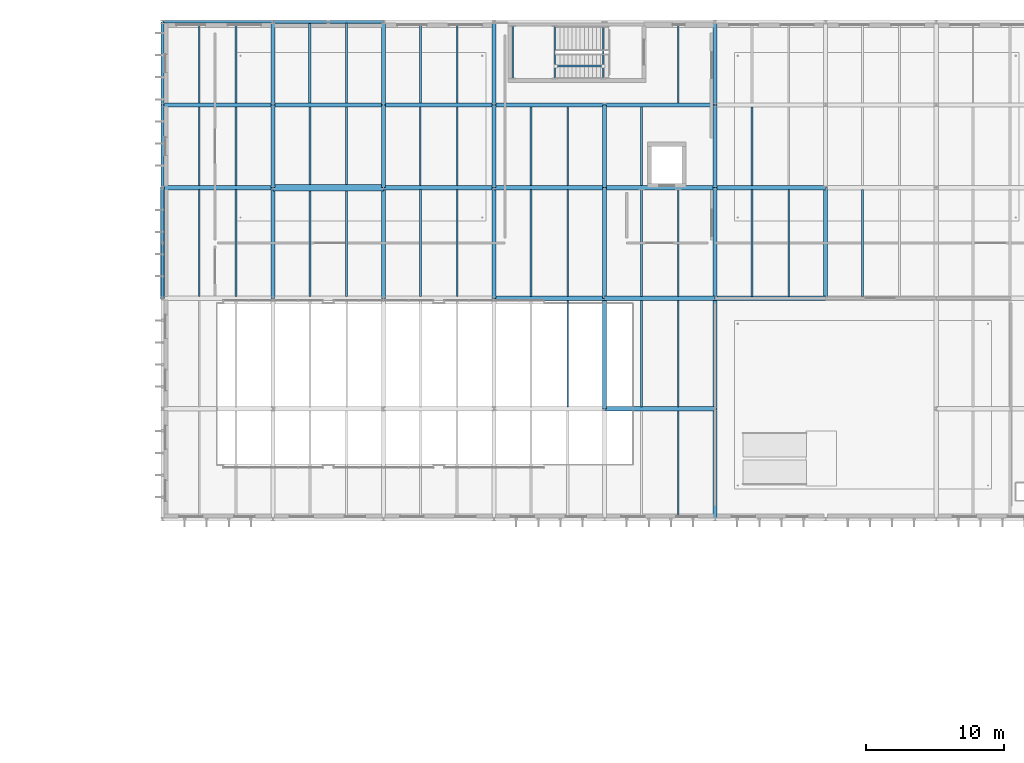
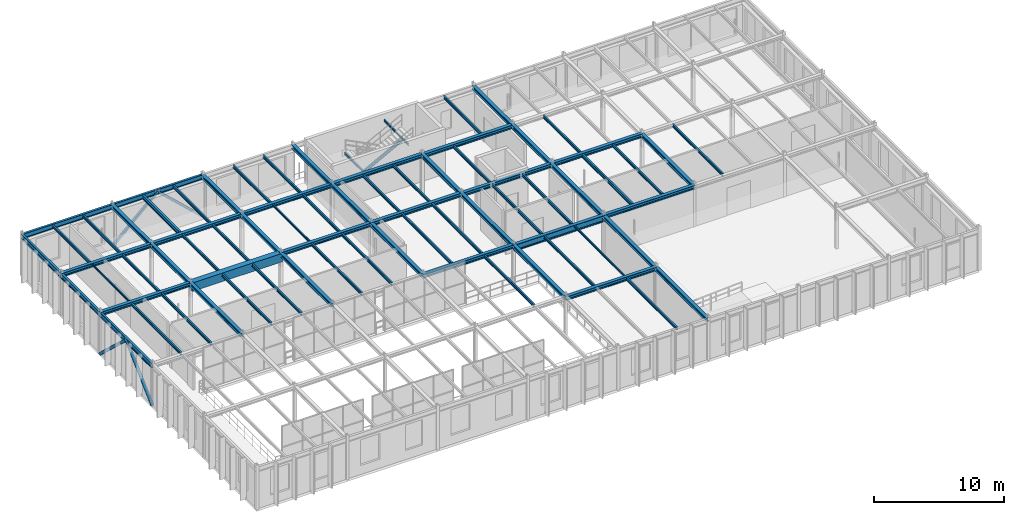
# One storey, part 62 of 124: 75 beams, 5 members.
"""IFC4 building model written with IfcOpenShell, lengths in metres."""

from ifc_helpers import new_model, si_unit, direction, frame, origin, origin_2d, place, context, subcontext, project, spatial, rectangle, hollow_rectangle, hollow_circle, i_section, extrude, material, material_profile, profile_set, type_object, element, save


model = new_model("IFC4")

# Units and contexts
model_context = context("Model", 3, precision=1e-05, world=origin(), true_north=direction((0.0, 1.0)))
body_context = subcontext(model_context, "Body", "Model", "MODEL_VIEW")
ifc_project = project(units=[si_unit("LENGTHUNIT", "METRE"), si_unit("AREAUNIT", "SQUARE_METRE"), si_unit("VOLUMEUNIT", "CUBIC_METRE"), si_unit("PLANEANGLEUNIT", "RADIAN"), si_unit("MASSUNIT", "GRAM", prefix="KILO")], contexts=[model_context])

# Site, building, storey
site_placement = place(None, origin())
site = spatial("IfcSite", under=ifc_project, at=site_placement, CompositionType="ELEMENT")
building_placement = place(site_placement, origin())
building = spatial("IfcBuilding", under=site, at=building_placement, Name="Sundkrona Museum", CompositionType="ELEMENT")
storey_placement = place(building_placement, frame((0.0, 0.0, 17.60009765625)))
storey = spatial("IfcBuildingStorey", under=building, at=storey_placement, Name="L03", CompositionType="ELEMENT", Elevation=17.60009765625)

# Beams
ifc_material_1 = material(Name="Steel S355J2", Category="steel")
ifc_material_profile_1 = material_profile(ifc_material_1, i_section(OverallWidth=0.300048828125, OverallDepth=0.35009765625, WebThickness=0.010009765625, FlangeThickness=0.017578125, FilletRadius=0.027099609375, at=origin_2d()), Name="HEA 360")
ifc_profile_set_1 = profile_set([ifc_material_profile_1], Name="Steel S355J2")
beam_type_1 = type_object("IfcBeamType", Name="B-HEA360", PredefinedType="BEAM", material=ifc_profile_set_1)
for number, where, z_axis, x_axis, name in (
    (1, (48.0, 86.0, 3.724853515625), (1.0, 0.0, 0.0), (0.0, 1.0, 0.0), "L03 Girder X-1502"),
    (2, (40.0, 94.0, 3.784912109375), (1.0, 0.0, 0.0), (0.0, 1.0, 0.0), "L03 Girder X-1511"),
    (3, (56.0, 94.0, 3.724853515625), (1.0, 0.0, 0.0), (0.0, 1.0, 0.0), "L03 Girder X-1513"),
    (4, (16.0, 102.0, 3.784912109375), (1.0, 0.0, 0.0), (0.0, 1.0, 0.0), "L03 Girder X-1520"),
    (5, (32.0, 102.0, 3.784912109375), (1.0, 0.0, 0.0), (0.0, 1.0, 0.0), "L03 Girder X-1522"),
    (6, (40.0, 102.0, 3.784912109375), (1.0, 0.0, 0.0), (0.0, 1.0, 0.0), "L03 Girder X-1523"),
    (7, (48.0, 102.0, 3.724853515625), (1.0, 0.0, 0.0), (0.0, 1.0, 0.0), "L03 Girder X-1524"),
    (8, (56.0, 102.0, 3.724853515625), (1.0, 0.0, 0.0), (0.0, 1.0, 0.0), "L03 Girder X-1525"),
    (9, (16.0, 108.0, 3.784912109375), (1.0, 0.0, 0.0), (0.0, 1.0, 0.0), "L03 Girder X-1532"),
    (10, (24.0, 108.0, 3.784912109375), (1.0, 0.0, 0.0), (0.0, 1.0, 0.0), "L03 Girder X-1533"),
    (11, (32.0, 108.0, 3.784912109375), (1.0, 0.0, 0.0), (0.0, 1.0, 0.0), "L03 Girder X-1534"),
    (12, (40.0, 108.0, 3.784912109375), (1.0, 0.0, 0.0), (0.0, 1.0, 0.0), "L03 Girder X-1535"),
    (13, (48.0, 108.0, 3.724853515625), (1.0, 0.0, 0.0), (0.0, 1.0, 0.0), "L03 Girder X-1536"),
    (14, (24.0, 94.0, 3.784912109375), (0.0, 1.0, 0.0), (-1.0, 0.0, 0.0), "L03 Girder Y-1565"),
):
    element("IfcBeam", number, at=place(storey_placement, frame(where, z_axis=z_axis, x_axis=x_axis)), inside=storey, type_object=beam_type_1, Name=name, PredefinedType="BEAM", context=body_context, shape_type="SweptSolid", body=[
        extrude(i_section(OverallWidth=0.300048828125, OverallDepth=0.35009765625, WebThickness=0.010009765625, FlangeThickness=0.017578125, FilletRadius=0.027099609375, at=origin_2d()), origin(), (0.0, 0.0, 1.0), 8.0),
    ])
for number, where, z_axis, x_axis, name in (
    (15, (24.0, 102.0, 3.784912109375), (0.0, 1.0, 0.0), (-1.0, 0.0, 0.0), "L03 Girder Y-1566"),
    (16, (24.0, 108.0, 3.784912109375), (0.0, 1.0, 0.0), (-1.0, 0.0, 0.0), "L03 Girder Y-1567"),
):
    element("IfcBeam", number, at=place(storey_placement, frame(where, z_axis=z_axis, x_axis=x_axis)), inside=storey, type_object=beam_type_1, Name=name, PredefinedType="BEAM", context=body_context, shape_type="SweptSolid", body=[
        extrude(i_section(OverallWidth=0.300048828125, OverallDepth=0.35009765625, WebThickness=0.010009765625, FlangeThickness=0.017578125, FilletRadius=0.027099609375, at=origin_2d()), origin(), (0.0, 0.0, 1.0), 6.0),
    ])
beam_1_placement = place(storey_placement, frame((32.0, 94.0, 3.784912109375), z_axis=(0.0, 1.0, 0.0), x_axis=(-1.0, 0.0, 0.0)))
element("IfcBeam", 17, at=beam_1_placement, inside=storey, type_object=beam_type_1, Name="L03 Girder Y-1571", PredefinedType="BEAM", context=body_context, shape_type="SweptSolid", body=[
    extrude(i_section(OverallWidth=0.300048828125, OverallDepth=0.35009765625, WebThickness=0.010009765625, FlangeThickness=0.017578125, FilletRadius=0.027099609375, at=origin_2d()), origin(), (0.0, 0.0, 1.0), 8.0),
])
for number, where, z_axis, x_axis, name in (
    (18, (32.0, 102.0, 3.784912109375), (0.0, 1.0, 0.0), (-1.0, 0.0, 0.0), "L03 Girder Y-1572"),
    (19, (32.0, 108.0, 3.784912109375), (0.0, 1.0, 0.0), (-1.0, 0.0, 0.0), "L03 Girder Y-1573"),
):
    element("IfcBeam", number, at=place(storey_placement, frame(where, z_axis=z_axis, x_axis=x_axis)), inside=storey, type_object=beam_type_1, Name=name, PredefinedType="BEAM", context=body_context, shape_type="SweptSolid", body=[
        extrude(i_section(OverallWidth=0.300048828125, OverallDepth=0.35009765625, WebThickness=0.010009765625, FlangeThickness=0.017578125, FilletRadius=0.027099609375, at=origin_2d()), origin(), (0.0, 0.0, 1.0), 6.0),
    ])
beam_2_placement = place(storey_placement, frame((40.0, 94.0, 3.784912109375), z_axis=(0.0, 1.0, 0.0), x_axis=(-1.0, 0.0, 0.0)))
element("IfcBeam", 20, at=beam_2_placement, inside=storey, type_object=beam_type_1, Name="L03 Girder Y-1578", PredefinedType="BEAM", context=body_context, shape_type="SweptSolid", body=[
    extrude(i_section(OverallWidth=0.300048828125, OverallDepth=0.35009765625, WebThickness=0.010009765625, FlangeThickness=0.017578125, FilletRadius=0.027099609375, at=origin_2d()), origin(), (0.0, 0.0, 1.0), 8.0),
])
for number, where, z_axis, x_axis, name in (
    (21, (40.0, 102.0, 3.784912109375), (0.0, 1.0, 0.0), (-1.0, 0.0, 0.0), "L03 Girder Y-1579"),
    (22, (40.0, 108.0, 3.784912109375), (0.0, 1.0, 0.0), (-1.0, 0.0, 0.0), "L03 Girder Y-1580"),
):
    element("IfcBeam", number, at=place(storey_placement, frame(where, z_axis=z_axis, x_axis=x_axis)), inside=storey, type_object=beam_type_1, Name=name, PredefinedType="BEAM", context=body_context, shape_type="SweptSolid", body=[
        extrude(i_section(OverallWidth=0.300048828125, OverallDepth=0.35009765625, WebThickness=0.010009765625, FlangeThickness=0.017578125, FilletRadius=0.027099609375, at=origin_2d()), origin(), (0.0, 0.0, 1.0), 6.0),
    ])
for number, where, z_axis, x_axis, name in (
    (23, (48.0, 86.0, 3.784912109375), (0.0, 1.0, 0.0), (-1.0, 0.0, 0.0), "L03 Girder Y-1582"),
    (24, (48.0, 94.0, 3.784912109375), (0.0, 1.0, 0.0), (-1.0, 0.0, 0.0), "L03 Girder Y-1583"),
):
    element("IfcBeam", number, at=place(storey_placement, frame(where, z_axis=z_axis, x_axis=x_axis)), inside=storey, type_object=beam_type_1, Name=name, PredefinedType="BEAM", context=body_context, shape_type="SweptSolid", body=[
        extrude(i_section(OverallWidth=0.300048828125, OverallDepth=0.35009765625, WebThickness=0.010009765625, FlangeThickness=0.017578125, FilletRadius=0.027099609375, at=origin_2d()), origin(), (0.0, 0.0, 1.0), 8.0),
    ])
beam_3_placement = place(storey_placement, frame((48.0, 102.0, 3.784912109375), z_axis=(0.0, 1.0, 0.0), x_axis=(-1.0, 0.0, 0.0)))
element("IfcBeam", 25, at=beam_3_placement, inside=storey, type_object=beam_type_1, Name="L03 Girder Y-1584", PredefinedType="BEAM", context=body_context, shape_type="SweptSolid", body=[
    extrude(i_section(OverallWidth=0.300048828125, OverallDepth=0.35009765625, WebThickness=0.010009765625, FlangeThickness=0.017578125, FilletRadius=0.027099609375, at=origin_2d()), origin(), (0.0, 0.0, 1.0), 6.0),
])
for number, where, z_axis, x_axis, name in (
    (26, (56.0, 78.0, 3.724853515625), (0.0, 1.0, 0.0), (-1.0, 0.0, 0.0), "L03 Girder Y-1585"),
    (27, (56.0, 86.0, 3.724853515625), (0.0, 1.0, 0.0), (-1.0, 0.0, 0.0), "L03 Girder Y-1586"),
    (28, (56.0, 94.0, 3.724853515625), (0.0, 1.0, 0.0), (-1.0, 0.0, 0.0), "L03 Girder Y-1587"),
):
    element("IfcBeam", number, at=place(storey_placement, frame(where, z_axis=z_axis, x_axis=x_axis)), inside=storey, type_object=beam_type_1, Name=name, PredefinedType="BEAM", context=body_context, shape_type="SweptSolid", body=[
        extrude(i_section(OverallWidth=0.300048828125, OverallDepth=0.35009765625, WebThickness=0.010009765625, FlangeThickness=0.017578125, FilletRadius=0.027099609375, at=origin_2d()), origin(), (0.0, 0.0, 1.0), 8.0),
    ])
for number, where, z_axis, x_axis, name in (
    (29, (56.0, 102.0, 3.724853515625), (0.0, 1.0, 0.0), (-1.0, 0.0, 0.0), "L03 Girder Y-1588"),
    (30, (56.0, 108.0, 3.724853515625), (0.0, 1.0, 0.0), (-1.0, 0.0, 0.0), "L03 Girder Y-1589"),
):
    element("IfcBeam", number, at=place(storey_placement, frame(where, z_axis=z_axis, x_axis=x_axis)), inside=storey, type_object=beam_type_1, Name=name, PredefinedType="BEAM", context=body_context, shape_type="SweptSolid", body=[
        extrude(i_section(OverallWidth=0.300048828125, OverallDepth=0.35009765625, WebThickness=0.010009765625, FlangeThickness=0.017578125, FilletRadius=0.027099609375, at=origin_2d()), origin(), (0.0, 0.0, 1.0), 6.0),
    ])
beam_4_placement = place(storey_placement, frame((64.0, 94.0, 3.724853515625), z_axis=(0.0, 1.0, 0.0), x_axis=(-1.0, 0.0, 0.0)))
element("IfcBeam", 31, at=beam_4_placement, inside=storey, type_object=beam_type_1, Name="L03 Girder Y-1590", PredefinedType="BEAM", context=body_context, shape_type="SweptSolid", body=[
    extrude(i_section(OverallWidth=0.300048828125, OverallDepth=0.35009765625, WebThickness=0.010009765625, FlangeThickness=0.017578125, FilletRadius=0.027099609375, at=origin_2d()), origin(), (0.0, 0.0, 1.0), 8.0),
])
ifc_material_profile_2 = material_profile(ifc_material_1, i_section(OverallWidth=0.300048828125, OverallDepth=0.60009765625, WebThickness=0.015380859375, FlangeThickness=0.030029296875, FilletRadius=0.027099609375, at=origin_2d()), Name="HEB 600")
ifc_profile_set_2 = profile_set([ifc_material_profile_2], Name="Steel S355J2")
beam_type_2 = type_object("IfcBeamType", Name="B-HEB600", PredefinedType="BEAM", material=ifc_profile_set_2)
beam_5_placement = place(storey_placement, frame((48.0, 94.0, 3.599853515625), z_axis=(1.0, 0.0, 0.0), x_axis=(0.0, 1.0, 0.0)))
element("IfcBeam", 32, at=beam_5_placement, inside=storey, type_object=beam_type_2, Name="L03 Girder X-1512", PredefinedType="BEAM", context=body_context, shape_type="SweptSolid", body=[
    extrude(i_section(OverallWidth=0.300048828125, OverallDepth=0.60009765625, WebThickness=0.015380859375, FlangeThickness=0.030029296875, FilletRadius=0.027099609375, at=origin_2d()), origin(), (0.0, 0.0, 1.0), 8.0),
])
ifc_material_2 = material(Name="Concrete C40/50", Category="concrete")
ifc_material_profile_3 = material_profile(ifc_material_2, rectangle(XDim=0.5, YDim=0.800048828125, at=origin_2d()), Name="RCB 500x800")
ifc_profile_set_3 = profile_set([ifc_material_profile_3], Name="Concrete C40/50")
beam_type_3 = type_object("IfcBeamType", Name="B-RC500", PredefinedType="BEAM", material=ifc_profile_set_3)
beam_6_placement = place(storey_placement, frame((24.0, 102.0, 3.559814453125), z_axis=(1.0, 0.0, 0.0), x_axis=(0.0, 1.0, 0.0)))
element("IfcBeam", 33, at=beam_6_placement, inside=storey, type_object=beam_type_3, Name="L03 Girder X-1521", PredefinedType="BEAM", context=body_context, shape_type="SweptSolid", body=[
    extrude(rectangle(XDim=0.5, YDim=0.800048828125, at=origin_2d()), origin(), (0.0, 0.0, 1.0), 8.0),
])

# Members
ifc_material_profile_4 = material_profile(ifc_material_1, hollow_circle(Radius=0.136474609375, WallThickness=0.012451171875, at=origin_2d()), Name="CHS 273.0x12.5")
ifc_profile_set_4 = profile_set([ifc_material_profile_4], Name="Steel S355J2")
member_type_1 = type_object("IfcMemberType", Name="BR-CHS273", PredefinedType="BRACE", material=ifc_profile_set_4)
for number, where, z_axis, x_axis, name in (
    (34, (16.0, 94.0, 0.0), (0.0, 0.730448607788, 0.68296766496), (-1.0, 0.0, 0.0), "CBR-1 L03 Concentric Chevron Brace 024A"),
    (35, (16.0, 102.0, 0.0), (0.0, -0.730448607788, 0.68296766496), (1.0, 0.0, 0.0), "CBR-1 L03 Concentric Chevron Brace 024B"),
):
    element("IfcMember", number, at=place(storey_placement, frame(where, z_axis=z_axis, x_axis=x_axis)), inside=storey, type_object=member_type_1, Name=name, PredefinedType="BRACE", context=body_context, shape_type="SweptSolid", body=[
        extrude(hollow_circle(Radius=0.136474609375, WallThickness=0.012451171875, at=origin_2d()), origin(), (0.0, 0.0, 1.0), 5.47607421875),
    ])
ifc_material_profile_5 = material_profile(ifc_material_1, i_section(OverallWidth=0.135009765625, OverallDepth=0.27001953125, WebThickness=0.006591796875, FlangeThickness=0.01025390625, FilletRadius=0.014892578125, at=origin_2d()), Name="IPE 270")
ifc_profile_set_5 = profile_set([ifc_material_profile_5], Name="Steel S355J2")
member_type_2 = type_object("IfcMemberType", Name="BR-IPE270", PredefinedType="BRACE", material=ifc_profile_set_5)
member_placement = place(storey_placement, frame((44.465087890625, 110.800048828125, 1.77978515625), z_axis=(0.882182779908, 0.0, 0.470907148846), x_axis=(0.0, 1.0, 0.0)))
element("IfcMember", 36, at=member_placement, inside=storey, type_object=member_type_2, Name="SRK-1 L03 ST-3 Flight 2 Inclined Carriage Raker", PredefinedType="BRACE", context=body_context, shape_type="SweptSolid", body=[
    extrude(i_section(OverallWidth=0.135009765625, OverallDepth=0.27001953125, WebThickness=0.006591796875, FlangeThickness=0.01025390625, FilletRadius=0.014892578125, at=origin_2d()), origin(), (0.0, 0.0, 1.0), 3.8935546875),
])
ifc_material_profile_6 = material_profile(ifc_material_1, hollow_rectangle(XDim=0.199951171875, YDim=0.199951171875, WallThickness=0.010009765625, at=origin_2d()), Name="SHS 200x200x10.0")
ifc_profile_set_6 = profile_set([ifc_material_profile_6], Name="Steel S355J2")
member_type_3 = type_object("IfcMemberType", Name="BR-SHS200", PredefinedType="BRACE", material=ifc_profile_set_6)
for number, where, z_axis, x_axis, name in (
    (37, (24.0, 114.0, 0.0), (0.730448607788, 0.0, 0.68296766496), (0.0, 1.0, 0.0), "CBR-1 L03 Concentric Chevron Brace 017A"),
    (38, (32.0, 114.0, 0.0), (-0.730448607788, 0.0, 0.68296766496), (0.0, -1.0, 0.0), "CBR-1 L03 Concentric Chevron Brace 017B"),
):
    element("IfcMember", number, at=place(storey_placement, frame(where, z_axis=z_axis, x_axis=x_axis)), inside=storey, type_object=member_type_3, Name=name, PredefinedType="BRACE", context=body_context, shape_type="SweptSolid", body=[
        extrude(hollow_rectangle(XDim=0.199951171875, YDim=0.199951171875, WallThickness=0.010009765625, at=origin_2d()), origin(), (0.0, 0.0, 1.0), 5.47607421875),
    ])

# Beams
ifc_material_profile_7 = material_profile(ifc_material_1, i_section(OverallWidth=0.091064453125, OverallDepth=0.179931640625, WebThickness=0.00537109375, FlangeThickness=0.008056640625, FilletRadius=0.009033203125, at=origin_2d()), Name="IPE 180")
ifc_profile_set_7 = profile_set([ifc_material_profile_7], Name="Steel S355J2")
beam_type_4 = type_object("IfcBeamType", Name="J-IPE180", PredefinedType="JOIST", material=ifc_profile_set_7)
beam_7_placement = place(storey_placement, frame((18.666748046875, 102.14404296875, 3.869873046875), z_axis=(0.0, 1.0, 0.0), x_axis=(-1.0, 0.0, 0.0)))
element("IfcBeam", 39, at=beam_7_placement, inside=storey, type_object=beam_type_4, Name="L03 Composite Joist 0975", PredefinedType="JOIST", context=body_context, shape_type="SweptSolid", body=[
    extrude(i_section(OverallWidth=0.091064453125, OverallDepth=0.179931640625, WebThickness=0.00537109375, FlangeThickness=0.008056640625, FilletRadius=0.009033203125, at=origin_2d()), origin(), (0.0, 0.0, 1.0), 5.7119140625),
])
beam_8_placement = place(storey_placement, frame((53.333251953125, 86.14404296875, 3.809814453125), z_axis=(0.0, 1.0, 0.0), x_axis=(-1.0, 0.0, 0.0)))
element("IfcBeam", 40, at=beam_8_placement, inside=storey, type_object=beam_type_4, Name="L03 Composite Joist 1015", PredefinedType="JOIST", context=body_context, shape_type="SweptSolid", body=[
    extrude(i_section(OverallWidth=0.091064453125, OverallDepth=0.179931640625, WebThickness=0.00537109375, FlangeThickness=0.008056640625, FilletRadius=0.009033203125, at=origin_2d()), origin(), (0.0, 0.0, 1.0), 7.7119140625),
])
ifc_material_profile_8 = material_profile(ifc_material_1, i_section(OverallWidth=0.10009765625, OverallDepth=0.199951171875, WebThickness=0.005615234375, FlangeThickness=0.008544921875, FilletRadius=0.011962890625, at=origin_2d()), Name="IPE 200")
ifc_profile_set_8 = profile_set([ifc_material_profile_8], Name="Steel S355J2")
beam_type_5 = type_object("IfcBeamType", Name="J-IPE200", PredefinedType="JOIST", material=ifc_profile_set_8)
beam_9_placement = place(storey_placement, frame((34.666748046875, 102.14404296875, 3.85986328125), z_axis=(0.0, 1.0, 0.0), x_axis=(-1.0, 0.0, 0.0)))
element("IfcBeam", 41, at=beam_9_placement, inside=storey, type_object=beam_type_5, Name="L03 Composite Joist 1000", PredefinedType="JOIST", context=body_context, shape_type="SweptSolid", body=[
    extrude(i_section(OverallWidth=0.10009765625, OverallDepth=0.199951171875, WebThickness=0.005615234375, FlangeThickness=0.008544921875, FilletRadius=0.011962890625, at=origin_2d()), origin(), (0.0, 0.0, 1.0), 5.7119140625),
])
for number, where, z_axis, x_axis, name in (
    (42, (41.36328125, 109.909912109375, 1.77978515625), (0.0, 1.0, 0.0), (-1.0, 0.0, 0.0), "L03 ST-3 Mid-Landing Trimmer Beam 1A"),
    (43, (44.401611328125, 109.909912109375, 1.77978515625), (0.0, 1.0, 0.0), (-1.0, 0.0, 0.0), "L03 ST-3 Mid-Landing Trimmer Beam 1B"),
    (44, (47.89990234375, 109.909912109375, 3.61328125), (0.0, 1.0, 0.0), (-1.0, 0.0, 0.0), "L03 ST-3 Flight 2 Arrival Header Beam"),
):
    element("IfcBeam", number, at=place(storey_placement, frame(where, z_axis=z_axis, x_axis=x_axis)), inside=storey, type_object=beam_type_5, Name=name, PredefinedType="JOIST", context=body_context, shape_type="SweptSolid", body=[
        extrude(i_section(OverallWidth=0.10009765625, OverallDepth=0.199951171875, WebThickness=0.005615234375, FlangeThickness=0.008544921875, FilletRadius=0.011962890625, at=origin_2d()), origin(), (0.0, 0.0, 1.0), 3.780029296875),
    ])
ifc_material_profile_9 = material_profile(ifc_material_1, i_section(OverallWidth=0.135009765625, OverallDepth=0.27001953125, WebThickness=0.006591796875, FlangeThickness=0.01025390625, FilletRadius=0.014892578125, at=origin_2d()), Name="IPE 270")
ifc_profile_set_9 = profile_set([ifc_material_profile_9], Name="Steel S355J2")
beam_type_6 = type_object("IfcBeamType", Name="J-IPE270", PredefinedType="JOIST", material=ifc_profile_set_9)
for number, where, z_axis, x_axis, name in (
    (45, (18.666748046875, 94.14404296875, 3.824951171875), (0.0, 1.0, 0.0), (-1.0, 0.0, 0.0), "L03 Composite Joist 0973"),
    (46, (21.333251953125, 94.14404296875, 3.824951171875), (0.0, 1.0, 0.0), (-1.0, 0.0, 0.0), "L03 Composite Joist 0974"),
):
    element("IfcBeam", number, at=place(storey_placement, frame(where, z_axis=z_axis, x_axis=x_axis)), inside=storey, type_object=beam_type_6, Name=name, PredefinedType="JOIST", context=body_context, shape_type="SweptSolid", body=[
        extrude(i_section(OverallWidth=0.135009765625, OverallDepth=0.27001953125, WebThickness=0.006591796875, FlangeThickness=0.01025390625, FilletRadius=0.014892578125, at=origin_2d()), origin(), (0.0, 0.0, 1.0), 7.7119140625),
    ])
beam_10_placement = place(storey_placement, frame((21.333251953125, 102.14404296875, 3.824951171875), z_axis=(0.0, 1.0, 0.0), x_axis=(-1.0, 0.0, 0.0)))
element("IfcBeam", 47, at=beam_10_placement, inside=storey, type_object=beam_type_6, Name="L03 Composite Joist 0976", PredefinedType="JOIST", context=body_context, shape_type="SweptSolid", body=[
    extrude(i_section(OverallWidth=0.135009765625, OverallDepth=0.27001953125, WebThickness=0.006591796875, FlangeThickness=0.01025390625, FilletRadius=0.014892578125, at=origin_2d()), origin(), (0.0, 0.0, 1.0), 5.7119140625),
])
for number, where, z_axis, x_axis, name in (
    (48, (18.666748046875, 108.14404296875, 3.824951171875), (0.0, 1.0, 0.0), (-1.0, 0.0, 0.0), "L03 Composite Joist 0977"),
    (49, (21.333251953125, 108.14404296875, 3.824951171875), (0.0, 1.0, 0.0), (-1.0, 0.0, 0.0), "L03 Composite Joist 0978"),
):
    element("IfcBeam", number, at=place(storey_placement, frame(where, z_axis=z_axis, x_axis=x_axis)), inside=storey, type_object=beam_type_6, Name=name, PredefinedType="JOIST", context=body_context, shape_type="SweptSolid", body=[
        extrude(i_section(OverallWidth=0.135009765625, OverallDepth=0.27001953125, WebThickness=0.006591796875, FlangeThickness=0.01025390625, FilletRadius=0.014892578125, at=origin_2d()), origin(), (0.0, 0.0, 1.0), 5.766845703125),
    ])
for number, where, z_axis, x_axis, name in (
    (50, (26.666748046875, 94.14404296875, 3.824951171875), (0.0, 1.0, 0.0), (-1.0, 0.0, 0.0), "L03 Composite Joist 0986"),
    (51, (29.333251953125, 94.14404296875, 3.824951171875), (0.0, 1.0, 0.0), (-1.0, 0.0, 0.0), "L03 Composite Joist 0987"),
):
    element("IfcBeam", number, at=place(storey_placement, frame(where, z_axis=z_axis, x_axis=x_axis)), inside=storey, type_object=beam_type_6, Name=name, PredefinedType="JOIST", context=body_context, shape_type="SweptSolid", body=[
        extrude(i_section(OverallWidth=0.135009765625, OverallDepth=0.27001953125, WebThickness=0.006591796875, FlangeThickness=0.01025390625, FilletRadius=0.014892578125, at=origin_2d()), origin(), (0.0, 0.0, 1.0), 7.612060546875),
    ])
for number, where, z_axis, x_axis, name in (
    (52, (26.666748046875, 102.243896484375, 3.824951171875), (0.0, 1.0, 0.0), (-1.0, 0.0, 0.0), "L03 Composite Joist 0988"),
    (53, (29.333251953125, 102.243896484375, 3.824951171875), (0.0, 1.0, 0.0), (-1.0, 0.0, 0.0), "L03 Composite Joist 0989"),
):
    element("IfcBeam", number, at=place(storey_placement, frame(where, z_axis=z_axis, x_axis=x_axis)), inside=storey, type_object=beam_type_6, Name=name, PredefinedType="JOIST", context=body_context, shape_type="SweptSolid", body=[
        extrude(i_section(OverallWidth=0.135009765625, OverallDepth=0.27001953125, WebThickness=0.006591796875, FlangeThickness=0.01025390625, FilletRadius=0.014892578125, at=origin_2d()), origin(), (0.0, 0.0, 1.0), 5.612060546875),
    ])
beam_11_placement = place(storey_placement, frame((29.333251953125, 108.14404296875, 3.824951171875), z_axis=(0.0, 1.0, 0.0), x_axis=(-1.0, 0.0, 0.0)))
element("IfcBeam", 54, at=beam_11_placement, inside=storey, type_object=beam_type_6, Name="L03 Composite Joist 0991", PredefinedType="JOIST", context=body_context, shape_type="SweptSolid", body=[
    extrude(i_section(OverallWidth=0.135009765625, OverallDepth=0.27001953125, WebThickness=0.006591796875, FlangeThickness=0.01025390625, FilletRadius=0.014892578125, at=origin_2d()), origin(), (0.0, 0.0, 1.0), 5.766845703125),
])
for number, where, z_axis, x_axis, name in (
    (55, (34.666748046875, 94.14404296875, 3.824951171875), (0.0, 1.0, 0.0), (-1.0, 0.0, 0.0), "L03 Composite Joist 0998"),
    (56, (37.333251953125, 94.14404296875, 3.824951171875), (0.0, 1.0, 0.0), (-1.0, 0.0, 0.0), "L03 Composite Joist 0999"),
):
    element("IfcBeam", number, at=place(storey_placement, frame(where, z_axis=z_axis, x_axis=x_axis)), inside=storey, type_object=beam_type_6, Name=name, PredefinedType="JOIST", context=body_context, shape_type="SweptSolid", body=[
        extrude(i_section(OverallWidth=0.135009765625, OverallDepth=0.27001953125, WebThickness=0.006591796875, FlangeThickness=0.01025390625, FilletRadius=0.014892578125, at=origin_2d()), origin(), (0.0, 0.0, 1.0), 7.7119140625),
    ])
beam_12_placement = place(storey_placement, frame((37.333251953125, 102.14404296875, 3.824951171875), z_axis=(0.0, 1.0, 0.0), x_axis=(-1.0, 0.0, 0.0)))
element("IfcBeam", 57, at=beam_12_placement, inside=storey, type_object=beam_type_6, Name="L03 Composite Joist 1001", PredefinedType="JOIST", context=body_context, shape_type="SweptSolid", body=[
    extrude(i_section(OverallWidth=0.135009765625, OverallDepth=0.27001953125, WebThickness=0.006591796875, FlangeThickness=0.01025390625, FilletRadius=0.014892578125, at=origin_2d()), origin(), (0.0, 0.0, 1.0), 5.7119140625),
])
for number, where, z_axis, x_axis, name in (
    (58, (34.666748046875, 108.14404296875, 3.824951171875), (0.0, 1.0, 0.0), (-1.0, 0.0, 0.0), "L03 Composite Joist 1002"),
    (59, (37.333251953125, 108.14404296875, 3.824951171875), (0.0, 1.0, 0.0), (-1.0, 0.0, 0.0), "L03 Composite Joist 1003"),
):
    element("IfcBeam", number, at=place(storey_placement, frame(where, z_axis=z_axis, x_axis=x_axis)), inside=storey, type_object=beam_type_6, Name=name, PredefinedType="JOIST", context=body_context, shape_type="SweptSolid", body=[
        extrude(i_section(OverallWidth=0.135009765625, OverallDepth=0.27001953125, WebThickness=0.006591796875, FlangeThickness=0.01025390625, FilletRadius=0.014892578125, at=origin_2d()), origin(), (0.0, 0.0, 1.0), 5.766845703125),
    ])
for number, where, z_axis, x_axis, name in (
    (60, (45.333251953125, 86.14404296875, 3.824951171875), (0.0, 1.0, 0.0), (-1.0, 0.0, 0.0), "L03 Composite Joist 1007"),
    (61, (42.666748046875, 94.14404296875, 3.824951171875), (0.0, 1.0, 0.0), (-1.0, 0.0, 0.0), "L03 Composite Joist 1008"),
    (62, (45.333251953125, 94.14404296875, 3.824951171875), (0.0, 1.0, 0.0), (-1.0, 0.0, 0.0), "L03 Composite Joist 1009"),
):
    element("IfcBeam", number, at=place(storey_placement, frame(where, z_axis=z_axis, x_axis=x_axis)), inside=storey, type_object=beam_type_6, Name=name, PredefinedType="JOIST", context=body_context, shape_type="SweptSolid", body=[
        extrude(i_section(OverallWidth=0.135009765625, OverallDepth=0.27001953125, WebThickness=0.006591796875, FlangeThickness=0.01025390625, FilletRadius=0.014892578125, at=origin_2d()), origin(), (0.0, 0.0, 1.0), 7.7119140625),
    ])
for number, where, z_axis, x_axis, name in (
    (63, (42.666748046875, 102.14404296875, 3.824951171875), (0.0, 1.0, 0.0), (-1.0, 0.0, 0.0), "L03 Composite Joist 1010"),
    (64, (45.333251953125, 102.14404296875, 3.824951171875), (0.0, 1.0, 0.0), (-1.0, 0.0, 0.0), "L03 Composite Joist 1011"),
):
    element("IfcBeam", number, at=place(storey_placement, frame(where, z_axis=z_axis, x_axis=x_axis)), inside=storey, type_object=beam_type_6, Name=name, PredefinedType="JOIST", context=body_context, shape_type="SweptSolid", body=[
        extrude(i_section(OverallWidth=0.135009765625, OverallDepth=0.27001953125, WebThickness=0.006591796875, FlangeThickness=0.01025390625, FilletRadius=0.014892578125, at=origin_2d()), origin(), (0.0, 0.0, 1.0), 5.7119140625),
    ])
beam_13_placement = place(storey_placement, frame((53.333251953125, 78.089111328125, 3.764892578125), z_axis=(0.0, 1.0, 0.0), x_axis=(-1.0, 0.0, 0.0)))
element("IfcBeam", 65, at=beam_13_placement, inside=storey, type_object=beam_type_6, Name="L03 Composite Joist 1013", PredefinedType="JOIST", context=body_context, shape_type="SweptSolid", body=[
    extrude(i_section(OverallWidth=0.135009765625, OverallDepth=0.27001953125, WebThickness=0.006591796875, FlangeThickness=0.01025390625, FilletRadius=0.014892578125, at=origin_2d()), origin(), (0.0, 0.0, 1.0), 7.766845703125),
])
for number, where, z_axis, x_axis, name in (
    (66, (50.666748046875, 86.14404296875, 3.764892578125), (0.0, 1.0, 0.0), (-1.0, 0.0, 0.0), "L03 Composite Joist 1014"),
    (67, (50.666748046875, 94.14404296875, 3.764892578125), (0.0, 1.0, 0.0), (-1.0, 0.0, 0.0), "L03 Composite Joist 1016"),
    (68, (53.333251953125, 94.14404296875, 3.764892578125), (0.0, 1.0, 0.0), (-1.0, 0.0, 0.0), "L03 Composite Joist 1017"),
):
    element("IfcBeam", number, at=place(storey_placement, frame(where, z_axis=z_axis, x_axis=x_axis)), inside=storey, type_object=beam_type_6, Name=name, PredefinedType="JOIST", context=body_context, shape_type="SweptSolid", body=[
        extrude(i_section(OverallWidth=0.135009765625, OverallDepth=0.27001953125, WebThickness=0.006591796875, FlangeThickness=0.01025390625, FilletRadius=0.014892578125, at=origin_2d()), origin(), (0.0, 0.0, 1.0), 7.7119140625),
    ])
beam_14_placement = place(storey_placement, frame((50.666748046875, 102.14404296875, 3.764892578125), z_axis=(0.0, 1.0, 0.0), x_axis=(-1.0, 0.0, 0.0)))
element("IfcBeam", 69, at=beam_14_placement, inside=storey, type_object=beam_type_6, Name="L03 Composite Joist 1018", PredefinedType="JOIST", context=body_context, shape_type="SweptSolid", body=[
    extrude(i_section(OverallWidth=0.135009765625, OverallDepth=0.27001953125, WebThickness=0.006591796875, FlangeThickness=0.01025390625, FilletRadius=0.014892578125, at=origin_2d()), origin(), (0.0, 0.0, 1.0), 5.7119140625),
])
beam_15_placement = place(storey_placement, frame((53.333251953125, 108.14404296875, 3.764892578125), z_axis=(0.0, 1.0, 0.0), x_axis=(-1.0, 0.0, 0.0)))
element("IfcBeam", 70, at=beam_15_placement, inside=storey, type_object=beam_type_6, Name="L03 Composite Joist 1019", PredefinedType="JOIST", context=body_context, shape_type="SweptSolid", body=[
    extrude(i_section(OverallWidth=0.135009765625, OverallDepth=0.27001953125, WebThickness=0.006591796875, FlangeThickness=0.01025390625, FilletRadius=0.014892578125, at=origin_2d()), origin(), (0.0, 0.0, 1.0), 5.766845703125),
])
beam_16_placement = place(storey_placement, frame((61.333251953125, 94.14404296875, 3.764892578125), z_axis=(0.0, 1.0, 0.0), x_axis=(-1.0, 0.0, 0.0)))
element("IfcBeam", 71, at=beam_16_placement, inside=storey, type_object=beam_type_6, Name="L03 Composite Joist 1021", PredefinedType="JOIST", context=body_context, shape_type="SweptSolid", body=[
    extrude(i_section(OverallWidth=0.135009765625, OverallDepth=0.27001953125, WebThickness=0.006591796875, FlangeThickness=0.01025390625, FilletRadius=0.014892578125, at=origin_2d()), origin(), (0.0, 0.0, 1.0), 7.7119140625),
])
beam_17_placement = place(storey_placement, frame((58.666748046875, 102.14404296875, 3.764892578125), z_axis=(0.0, 1.0, 0.0), x_axis=(-1.0, 0.0, 0.0)))
element("IfcBeam", 72, at=beam_17_placement, inside=storey, type_object=beam_type_6, Name="L03 Composite Joist 1022", PredefinedType="JOIST", context=body_context, shape_type="SweptSolid", body=[
    extrude(i_section(OverallWidth=0.135009765625, OverallDepth=0.27001953125, WebThickness=0.006591796875, FlangeThickness=0.01025390625, FilletRadius=0.014892578125, at=origin_2d()), origin(), (0.0, 0.0, 1.0), 5.7119140625),
])
beam_18_placement = place(storey_placement, frame((66.666748046875, 94.14404296875, 3.764892578125), z_axis=(0.0, 1.0, 0.0), x_axis=(-1.0, 0.0, 0.0)))
element("IfcBeam", 73, at=beam_18_placement, inside=storey, type_object=beam_type_6, Name="L03 Composite Joist 1026", PredefinedType="JOIST", context=body_context, shape_type="SweptSolid", body=[
    extrude(i_section(OverallWidth=0.135009765625, OverallDepth=0.27001953125, WebThickness=0.006591796875, FlangeThickness=0.01025390625, FilletRadius=0.014892578125, at=origin_2d()), origin(), (0.0, 0.0, 1.0), 7.7119140625),
])
ifc_material_profile_10 = material_profile(ifc_material_1, i_section(OverallWidth=0.159912109375, OverallDepth=0.330078125, WebThickness=0.007568359375, FlangeThickness=0.011474609375, FilletRadius=0.01806640625, at=origin_2d()), Name="IPE 330")
ifc_profile_set_10 = profile_set([ifc_material_profile_10], Name="Steel S355J2")
beam_type_7 = type_object("IfcBeamType", Name="J-IPE330", PredefinedType="JOIST", material=ifc_profile_set_10)
beam_19_placement = place(storey_placement, frame((58.666748046875, 94.14404296875, 3.73486328125), z_axis=(0.0, 1.0, 0.0), x_axis=(-1.0, 0.0, 0.0)))
element("IfcBeam", 74, at=beam_19_placement, inside=storey, type_object=beam_type_7, Name="L03 Composite Joist 1020", PredefinedType="JOIST", context=body_context, shape_type="SweptSolid", body=[
    extrude(i_section(OverallWidth=0.159912109375, OverallDepth=0.330078125, WebThickness=0.007568359375, FlangeThickness=0.011474609375, FilletRadius=0.01806640625, at=origin_2d()), origin(), (0.0, 0.0, 1.0), 7.7119140625),
])
ifc_material_profile_11 = material_profile(ifc_material_1, i_section(OverallWidth=0.179931640625, OverallDepth=0.39990234375, WebThickness=0.008544921875, FlangeThickness=0.013427734375, FilletRadius=0.02099609375, at=origin_2d()), Name="IPE 400")
ifc_profile_set_11 = profile_set([ifc_material_profile_11], Name="Steel S355J2")
beam_type_8 = type_object("IfcBeamType", Name="J-IPE400", PredefinedType="JOIST", material=ifc_profile_set_11)
beam_20_placement = place(storey_placement, frame((26.666748046875, 108.14404296875, 3.760009765625), z_axis=(0.0, 1.0, 0.0), x_axis=(-1.0, 0.0, 0.0)))
element("IfcBeam", 75, at=beam_20_placement, inside=storey, type_object=beam_type_8, Name="L03 Composite Joist 0990", PredefinedType="JOIST", context=body_context, shape_type="SweptSolid", body=[
    extrude(i_section(OverallWidth=0.179931640625, OverallDepth=0.39990234375, WebThickness=0.008544921875, FlangeThickness=0.013427734375, FilletRadius=0.02099609375, at=origin_2d()), origin(), (0.0, 0.0, 1.0), 5.766845703125),
])
ifc_material_profile_12 = material_profile(ifc_material_1, i_section(OverallWidth=0.18994140625, OverallDepth=0.449951171875, WebThickness=0.009521484375, FlangeThickness=0.0146484375, FilletRadius=0.02099609375, at=origin_2d()), Name="IPE 450")
ifc_profile_set_12 = profile_set([ifc_material_profile_12], Name="Steel S355J2")
beam_type_9 = type_object("IfcBeamType", Name="SP-IPE450", PredefinedType="SPANDREL", material=ifc_profile_set_12)
for number, where, z_axis, x_axis, name in (
    (76, (16.0, 114.0, 3.73486328125), (1.0, 0.0, 0.0), (0.0, 1.0, 0.0), "L03 Girder X-1544"),
    (77, (24.0, 114.0, 3.73486328125), (1.0, 0.0, 0.0), (0.0, 1.0, 0.0), "L03 Girder X-1545"),
    (78, (16.0, 94.0, 3.73486328125), (0.0, 1.0, 0.0), (-1.0, 0.0, 0.0), "L03 Girder Y-1558"),
):
    element("IfcBeam", number, at=place(storey_placement, frame(where, z_axis=z_axis, x_axis=x_axis)), inside=storey, type_object=beam_type_9, Name=name, PredefinedType="SPANDREL", context=body_context, shape_type="SweptSolid", body=[
        extrude(i_section(OverallWidth=0.18994140625, OverallDepth=0.449951171875, WebThickness=0.009521484375, FlangeThickness=0.0146484375, FilletRadius=0.02099609375, at=origin_2d()), origin(), (0.0, 0.0, 1.0), 8.0),
    ])
for number, where, z_axis, x_axis, name in (
    (79, (16.0, 102.0, 3.73486328125), (0.0, 1.0, 0.0), (-1.0, 0.0, 0.0), "L03 Girder Y-1559"),
    (80, (16.0, 108.0, 3.73486328125), (0.0, 1.0, 0.0), (-1.0, 0.0, 0.0), "L03 Girder Y-1560"),
):
    element("IfcBeam", number, at=place(storey_placement, frame(where, z_axis=z_axis, x_axis=x_axis)), inside=storey, type_object=beam_type_9, Name=name, PredefinedType="SPANDREL", context=body_context, shape_type="SweptSolid", body=[
        extrude(i_section(OverallWidth=0.18994140625, OverallDepth=0.449951171875, WebThickness=0.009521484375, FlangeThickness=0.0146484375, FilletRadius=0.02099609375, at=origin_2d()), origin(), (0.0, 0.0, 1.0), 6.0),
    ])

save(model, "model.ifc")
